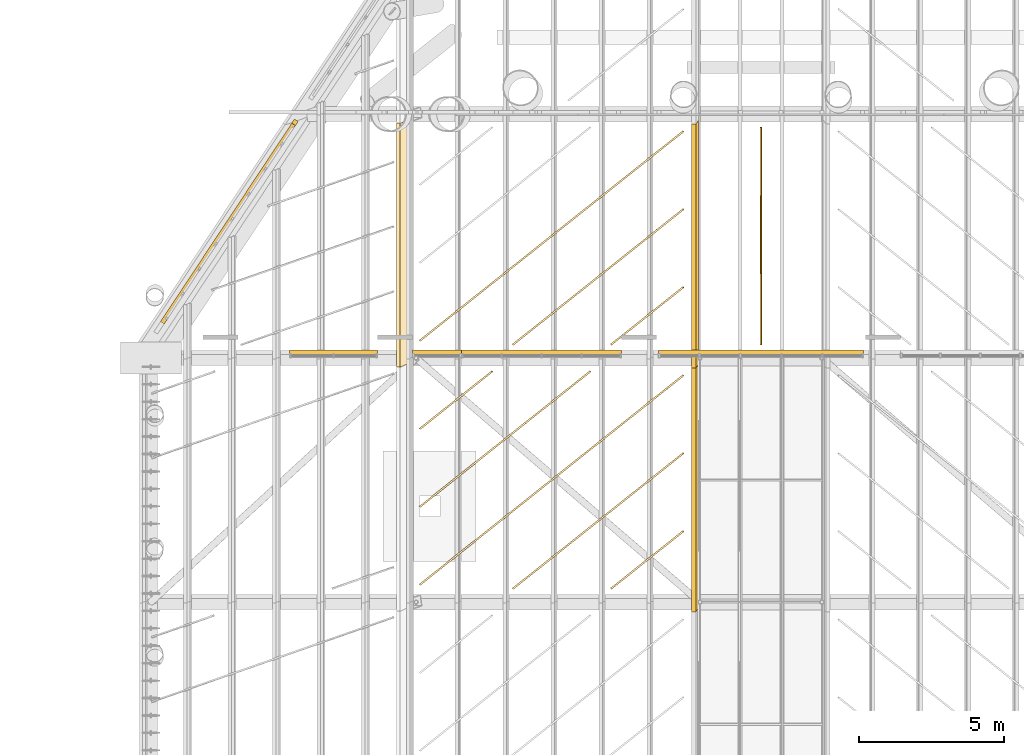
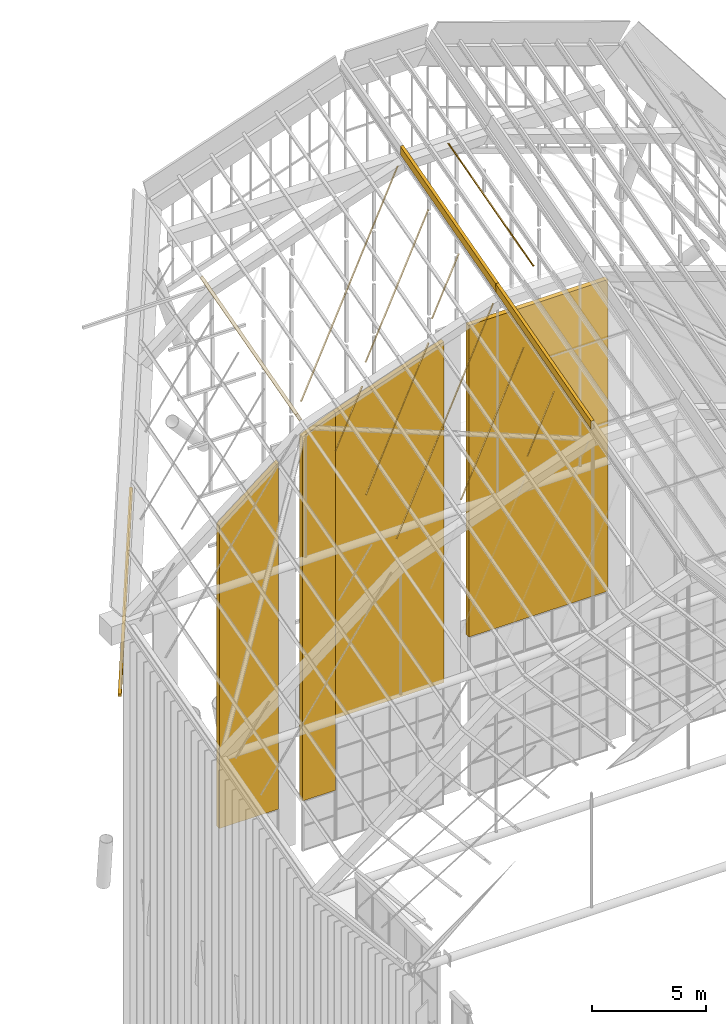
# One storey, part 111 of 126: 17 coverings.
"""IFC4 building model written with IfcOpenShell, lengths in metres."""

from ifc_helpers import new_model, si_unit, direction, frame, origin, origin_2d, place, context, subcontext, project, spatial, polyline, rectangle, outline, extrude, material, layer, layer_set, material_profile, profile_set, type_object, element, save


model = new_model("IFC4")

# Units and contexts
model_context = context("Model", 3, precision=1e-05, world=origin(), true_north=direction((0.0, 1.0)))
body_context = subcontext(model_context, "Body", "Model", "MODEL_VIEW")
ifc_project = project(units=[si_unit("LENGTHUNIT", "METRE"), si_unit("AREAUNIT", "SQUARE_METRE"), si_unit("VOLUMEUNIT", "CUBIC_METRE"), si_unit("PLANEANGLEUNIT", "RADIAN"), si_unit("MASSUNIT", "GRAM", prefix="KILO")], contexts=[model_context])

# Site, building, storey
site_placement = place(None, origin())
site = spatial("IfcSite", under=ifc_project, at=site_placement, CompositionType="ELEMENT")
building_placement = place(site_placement, origin())
building = spatial("IfcBuilding", under=site, at=building_placement, Name="Sava Quay Ferry Terminal", CompositionType="ELEMENT")
storey_placement = place(building_placement, frame((0.0, 0.0, 15.0)))
storey = spatial("IfcBuildingStorey", under=building, at=storey_placement, Name="L03", CompositionType="ELEMENT", Elevation=15.0)

# Coverings
ifc_material_1 = material(Name="Copper patinated")
ifc_layer_1 = layer(ifc_material_1, 0.25)
ifc_layer_set_1 = layer_set([ifc_layer_1], Name="Copper patinated")
covering_type_1 = type_object("IfcCoveringType", Name="Copper spandrel panel 250", PredefinedType="CLADDING", material=ifc_layer_set_1)
covering_1_placement = place(storey_placement, frame((46.780029296875, 100.9599609375, 2.699951171875), z_axis=(0.0, 0.0, 1.0), x_axis=(1.0, 0.0, 0.0)))
element("IfcCovering", 1, at=covering_1_placement, inside=storey, type_object=covering_type_1, Name="Spandrel panel D-N", PredefinedType="CLADDING", context=body_context, shape_type="SweptSolid", body=[
    extrude(outline(polyline([(0.0, 0.0), (3.02001953125, 0.0), (3.02001953125, 18.629638671875), (0.0, 16.270263671875), (0.0, 0.0)])), frame((0.0, 0.125, 0.0), z_axis=(0.0, -1.0, 0.0), x_axis=(1.0, 0.0, 0.0)), (0.0, 0.0, 1.0), 0.25),
])
covering_2_placement = place(storey_placement, frame((51.0, 100.9599609375, 2.699951171875), z_axis=(0.0, 0.0, 1.0), x_axis=(1.0, 0.0, 0.0)))
element("IfcCovering", 2, at=covering_2_placement, inside=storey, type_object=covering_type_1, Name="Spandrel panel D-N", PredefinedType="CLADDING", context=body_context, shape_type="SweptSolid", body=[
    extrude(outline(polyline([(0.0, 0.0), (1.699951171875, 0.0), (1.699951171875, 20.27099609375), (0.0, 19.567138671875), (0.0, 0.0)])), frame((0.0, 0.125, 0.0), z_axis=(0.0, -1.0, 0.0), x_axis=(1.0, 0.0, 0.0)), (0.0, 0.0, 1.0), 0.25),
])
covering_3_placement = place(storey_placement, frame((52.699951171875, 100.9599609375, 6.550048828125), z_axis=(0.0, 0.0, 1.0), x_axis=(1.0, 0.0, 0.0)))
element("IfcCovering", 3, at=covering_3_placement, inside=storey, type_object=covering_type_1, Name="Spandrel panel D-N", PredefinedType="CLADDING", context=body_context, shape_type="SweptSolid", body=[
    extrude(outline(polyline([(0.0, 0.0), (5.5, 0.0), (5.5, 18.314697265625), (0.0, 16.4208984375), (0.0, 0.0)])), frame((0.0, 0.125, 0.0), z_axis=(0.0, -1.0, 0.0), x_axis=(1.0, 0.0, 0.0)), (0.0, 0.0, 1.0), 0.25),
])
covering_4_placement = place(storey_placement, frame((59.469970703125, 100.9599609375, 8.550048828125), z_axis=(0.0, 0.0, 1.0), x_axis=(1.0, 0.0, 0.0)))
element("IfcCovering", 4, at=covering_4_placement, inside=storey, type_object=covering_type_1, Name="Spandrel panel D-N", PredefinedType="CLADDING", context=body_context, shape_type="SweptSolid", body=[
    extrude(outline(polyline([(0.0, 0.0), (7.06005859375, 0.0), (7.06005859375, 16.751953125), (0.0, 16.751953125), (0.0, 0.0)])), frame((0.0, 0.125, 0.0), z_axis=(0.0, -1.0, 0.0), x_axis=(1.0, 0.0, 0.0)), (0.0, 0.0, 1.0), 0.25),
])
ifc_material_2 = material(Name="Steel S355", Category="steel")
ifc_material_profile_1 = material_profile(ifc_material_2, rectangle(XDim=0.14990234375, YDim=0.60009765625, at=origin_2d()), Name="Cap 150 x 600")
ifc_profile_set_1 = profile_set([ifc_material_profile_1], Name="Steel S355")
covering_type_2 = type_object("IfcCoveringType", Name="Crease capping 150x600", PredefinedType="MOLDING", material=ifc_profile_set_1)
for number, where, z_axis, x_axis, name in (
    (5, (60.737548828125, 92.135009765625, 24.792724609375), (0.0, 0.964562342049, 0.263855051686), (-0.987174546341, 0.042123048024, -0.153987219863), "Departure hall crease capping bay 6 crease 2"),
    (6, (50.6572265625, 100.562255859375, 23.626953125), (0.0, 0.964555206992, 0.26388113359), (-0.885499005285, 0.122610065566, -0.448172158284), "Departure hall crease capping bay 7 crease 1"),
):
    element("IfcCovering", number, at=place(storey_placement, frame(where, z_axis=z_axis, x_axis=x_axis)), inside=storey, type_object=covering_type_2, Name=name, PredefinedType="MOLDING", context=body_context, shape_type="SweptSolid", body=[
        extrude(rectangle(XDim=0.14990234375, YDim=0.60009765625, at=origin_2d()), origin(), (0.0, 0.0, 1.0), 8.708740234375),
    ])
covering_5_placement = place(storey_placement, frame((60.737548828125, 100.53515625, 27.090576171875), z_axis=(0.0, 0.964553254836, 0.263888269132), x_axis=(-0.987174546341, 0.042128351011, -0.153985769138)))
element("IfcCovering", 7, at=covering_5_placement, inside=storey, type_object=covering_type_2, Name="Departure hall crease capping bay 7 crease 2", PredefinedType="MOLDING", context=body_context, shape_type="SweptSolid", body=[
    extrude(rectangle(XDim=0.14990234375, YDim=0.60009765625, at=origin_2d()), origin(), (0.0, 0.0, 1.0), 8.70849609375),
])
ifc_material_3 = material(Name="Zinc standing seam sheet")
ifc_material_profile_2 = material_profile(ifc_material_3, rectangle(XDim=0.300048828125, YDim=0.14990234375, at=origin_2d()), Name="Strip 300 x 150")
ifc_profile_set_2 = profile_set([ifc_material_profile_2], Name="Zinc standing seam sheet")
covering_type_3 = type_object("IfcCoveringType", Name="Prow apron batten band 300 x 150", PredefinedType="CLADDING", material=ifc_profile_set_2)
covering_6_placement = place(storey_placement, frame((46.96142578125, 108.91552734375, 16.03271484375), z_axis=(-0.460677484719, -0.696307506766, -0.550392688083), x_axis=(-0.303691127628, -0.459024846926, 0.8349059162)))
element("IfcCovering", 8, at=covering_6_placement, inside=storey, type_object=covering_type_3, Name="Prow apron batten band", PredefinedType="CLADDING", context=body_context, shape_type="SweptSolid", body=[
    extrude(rectangle(XDim=0.300048828125, YDim=0.14990234375, at=origin_2d()), origin(), (0.0, 0.0, 1.0), 9.8046875),
])
ifc_material_4 = material(Name="Zinc standing seam")
ifc_layer_2 = layer(ifc_material_4, 0.0400390625)
ifc_layer_set_2 = layer_set([ifc_layer_2], Name="Zinc standing seam")
covering_type_4 = type_object("IfcCoveringType", Name="Roof seam rib 60", PredefinedType="ROOFING", material=ifc_layer_set_2)
covering_7_placement = place(storey_placement, frame((57.816162109375, 92.883544921875, 23.7138671875), z_axis=(-0.31515429108, -0.250486267716, 0.915387569557), x_axis=(0.716726159676, 0.569419019872, 0.402573709827)))
element("IfcCovering", 9, at=covering_7_placement, inside=storey, type_object=covering_type_4, Name="Roof seam rib", PredefinedType="ROOFING", context=body_context, shape_type="SweptSolid", body=[
    extrude(outline(polyline([(0.0, 0.0), (3.475492556952352, 3.3911133449915365e-16), (3.475573282200158, -0.05993782864796137), (-5.8293067592779524e-05, -0.06012897978308663), (0.0, 0.0)])), origin(), (0.0, 0.0, -1.0), 0.0400390625),
])
covering_8_placement = place(storey_placement, frame((54.440185546875, 92.883544921875, 22.551513671875), z_axis=(-0.315135144881, -0.250471050217, 0.915398325028), x_axis=(0.716734025922, 0.5694264089, 0.402549252804)))
element("IfcCovering", 10, at=covering_8_placement, inside=storey, type_object=covering_type_4, Name="Roof seam rib", PredefinedType="ROOFING", context=body_context, shape_type="SweptSolid", body=[
    extrude(outline(polyline([(0.0, 0.0), (8.185676670103314, 1.6132928326584306e-16), (8.185757342822372, -0.05993782871963244), (-5.8347400302909136e-05, -0.06012897973133292), (0.0, 0.0)])), origin(), (0.0, 0.0, -1.0), 0.0400390625),
])
covering_9_placement = place(storey_placement, frame((51.236572265625, 93.020263671875, 21.48583984375), z_axis=(-0.315860603972, -0.249578974641, 0.915391945713), x_axis=(0.716720849607, 0.569433582306, 0.402562565424)))
element("IfcCovering", 11, at=covering_9_placement, inside=storey, type_object=covering_type_4, Name="Roof seam rib", PredefinedType="ROOFING", context=body_context, shape_type="SweptSolid", body=[
    extrude(outline(polyline([(0.0, 0.0), (12.655650835748542, -2.8015784137025435e-16), (12.655591658161812, -0.060128974331356944), (-0.00023415826290260414, -0.05997718574073971), (0.0, 0.0)])), origin(), (0.0, 0.0, -1.0), 0.0400390625),
])
covering_10_placement = place(storey_placement, frame((51.236572265625, 95.702392578125, 22.219482421875), z_axis=(-0.315875823073, -0.249591000096, 0.915383415334), x_axis=(0.716711226799, 0.569431984455, 0.402581957444)))
element("IfcCovering", 12, at=covering_10_placement, inside=storey, type_object=covering_type_4, Name="Roof seam rib", PredefinedType="ROOFING", context=body_context, shape_type="SweptSolid", body=[
    extrude(outline(polyline([(0.0, 0.0), (8.185599972847125, -3.5084782301630923e-16), (8.185540511104058, -0.06012897404983466), (-0.00023444006992221975, -0.059977184638674255), (0.0, 0.0)])), origin(), (0.0, 0.0, -1.0), 0.0400390625),
])
covering_11_placement = place(storey_placement, frame((51.236572265625, 98.384521484375, 22.953369140625), z_axis=(-0.315430774287, -0.250056520549, 0.915409833443), x_axis=(0.716716482078, 0.569467131453, 0.402522881974)))
element("IfcCovering", 13, at=covering_11_placement, inside=storey, type_object=covering_type_4, Name="Roof seam rib", PredefinedType="ROOFING", context=body_context, shape_type="SweptSolid", body=[
    extrude(outline(polyline([(0.0, 0.0), (3.4752192947820255, 1.6263032587282567e-17), (3.4753333528556585, -0.060280828038685716), (-0.00023590114613185678, -0.05997714186521805), (0.0, 0.0)])), origin(), (0.0, 0.0, -1.0), 0.0400390625),
])
covering_12_placement = place(storey_placement, frame((57.816162109375, 101.283447265625, 26.011962890625), z_axis=(-0.31515429108, -0.250486267716, 0.915387569557), x_axis=(0.716691945827, 0.569462079601, 0.402573713354)))
element("IfcCovering", 14, at=covering_12_placement, inside=storey, type_object=covering_type_4, Name="Roof seam rib", PredefinedType="ROOFING", context=body_context, shape_type="SweptSolid", body=[
    extrude(outline(polyline([(0.0, 0.0), (3.475631580524171, -1.1142887827719772e-16), (3.4755699805115903, -0.06012897648617532), (7.742881544747088e-05, -0.05993783299700268), (0.0, 0.0)])), origin(), (0.0, 0.0, -1.0), 0.0400390625),
])
covering_13_placement = place(storey_placement, frame((54.440185546875, 101.283447265625, 24.849609375), z_axis=(-0.314820447245, -0.250872543899, 0.915396664138), x_axis=(0.716732848826, 0.569425473338, 0.402552671991)))
element("IfcCovering", 15, at=covering_13_placement, inside=storey, type_object=covering_type_4, Name="Roof seam rib", PredefinedType="ROOFING", context=body_context, shape_type="SweptSolid", body=[
    extrude(outline(polyline([(0.0, 0.0), (8.185676670160415, 3.142017895862992e-16), (8.185757342765267, -0.05993783651816211), (8.067260485303263e-05, -0.05993783651816227), (0.0, 0.0)])), origin(), (0.0, 0.0, -1.0), 0.0400390625),
])
covering_14_placement = place(storey_placement, frame((51.236572265625, 101.420166015625, 23.78369140625), z_axis=(-0.315240258337, -0.250386142689, 0.915385360967), x_axis=(0.716715279778, 0.569429161047, 0.402578735508)))
element("IfcCovering", 16, at=covering_14_placement, inside=storey, type_object=covering_type_4, Name="Roof seam rib", PredefinedType="ROOFING", context=body_context, shape_type="SweptSolid", body=[
    extrude(outline(polyline([(0.0, 0.0), (12.655749120279193, 6.404382232871875e-16), (12.655828963756976, -0.0599378252753813), (-9.513583856981048e-05, -0.05978595826980433), (0.0, 0.0)])), origin(), (0.0, 0.0, -1.0), 0.0400390625),
])
covering_15_placement = place(storey_placement, frame((62.969970703125, 101.260009765625, 27.025634765625), z_axis=(0.0, -0.263884521692, 0.964554280075), x_axis=(0.0, 0.964554280075, 0.263884521692)))
element("IfcCovering", 17, at=covering_15_placement, inside=storey, type_object=covering_type_4, Name="Roof seam rib", PredefinedType="ROOFING", context=body_context, shape_type="SweptSolid", body=[
    extrude(outline(polyline([(0.0, 0.0), (7.754856956485908, 0.0), (7.754856956485908, -0.06005859375), (0.0, -0.06005859375), (0.0, 0.0)])), origin(), (0.0, 0.0, -1.0), 0.0400390625),
])

save(model, "model.ifc")
